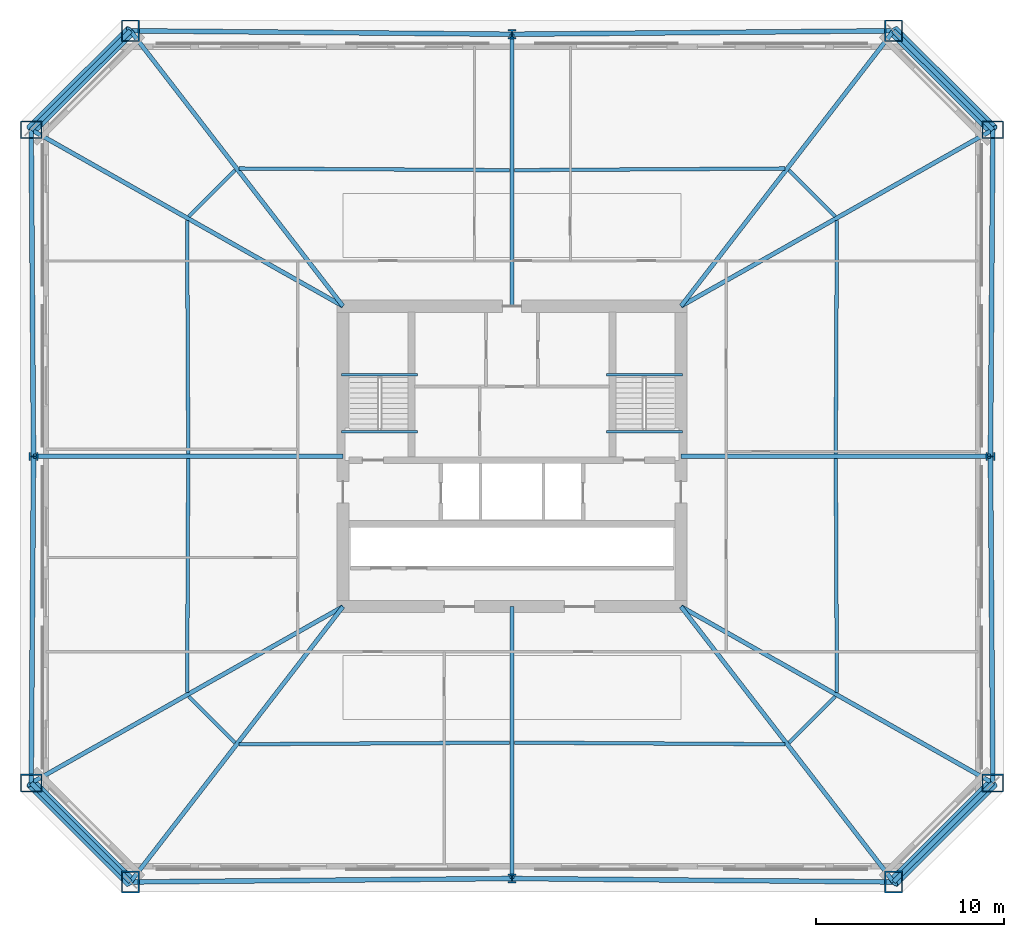
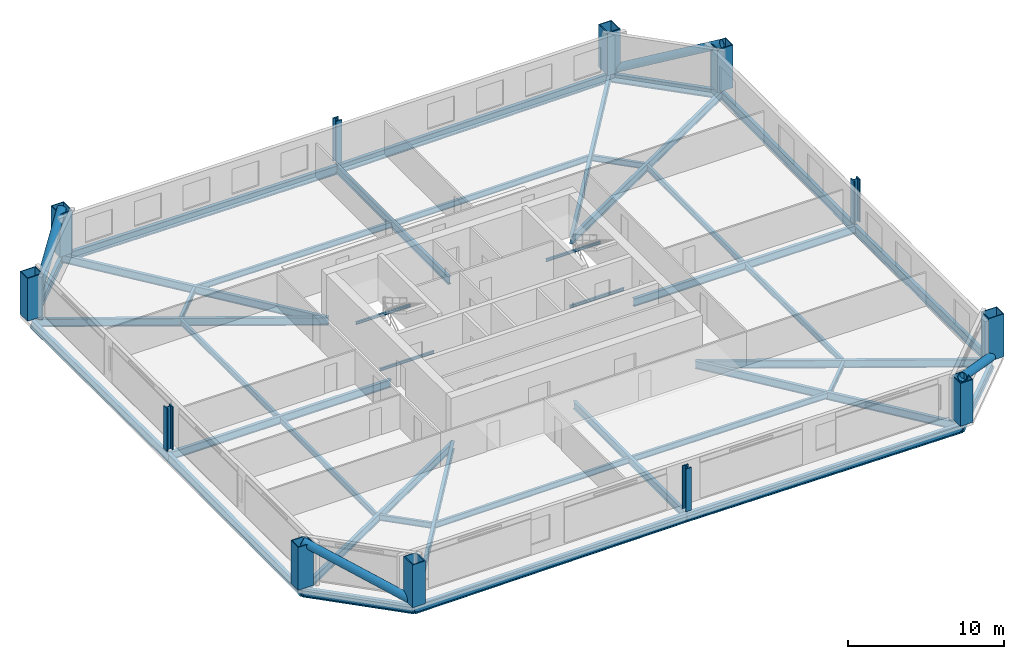
# One storey, part 1 of 11: 40 beams, 12 columns, 4 members.
"""IFC4 building model written with IfcOpenShell, lengths in metres."""

from ifc_helpers import new_model, si_unit, direction, frame, origin, origin_2d, place, context, subcontext, project, spatial, hollow_rectangle, hollow_circle, i_section, extrude, material, material_profile, profile_set, type_object, element, save


model = new_model("IFC4")

# Units and contexts
model_context = context("Model", 3, precision=1e-05, world=origin(), true_north=direction((0.0, 1.0)))
body_context = subcontext(model_context, "Body", "Model", "MODEL_VIEW")
ifc_project = project(units=[si_unit("LENGTHUNIT", "METRE"), si_unit("AREAUNIT", "SQUARE_METRE"), si_unit("VOLUMEUNIT", "CUBIC_METRE"), si_unit("PLANEANGLEUNIT", "RADIAN"), si_unit("MASSUNIT", "GRAM", prefix="KILO")], contexts=[model_context])

# Site, building, storey
site_placement = place(None, origin())
site = spatial("IfcSite", under=ifc_project, at=site_placement, CompositionType="ELEMENT")
building_placement = place(site_placement, origin())
building = spatial("IfcBuilding", under=site, at=building_placement, Name="Caelvoria Tower", CompositionType="ELEMENT")
storey_placement = place(building_placement, frame((0.0, 0.0, 74.800048828125)))
storey = spatial("IfcBuildingStorey", under=building, at=storey_placement, Name="L19", CompositionType="ELEMENT", Elevation=74.800048828125)

# Columns
ifc_material_1 = material(Name="Structural Steel ASTM A913 Gr.65", Category="steel")
ifc_material_profile_1 = material_profile(ifc_material_1, i_section(OverallWidth=0.427978515625, OverallDepth=0.48291015625, WebThickness=0.050537109375, FlangeThickness=0.08154296875, FilletRadius=0.02490234375, at=origin_2d()), Name="Structural Steel ASTM A913 Gr.65")
ifc_profile_set_1 = profile_set([ifc_material_profile_1], Name="W360X677 - Structural Steel ASTM A913 Gr.65")
column_type_1 = type_object("IfcColumnType", Name="Heavy Frame Column W360X677", PredefinedType="COLUMN", material=ifc_profile_set_1)
for number, where, z_axis, x_axis, name in (
    (1, (46.0, 9.52001953125, 0.0), (0.0, 0.0, 1.0), (1.0, 0.0, 0.0), "Perimeter Megaframe Column L19-P01"),
    (2, (71.47998046875, 32.0, 0.0), (0.0, 0.0, 1.0), (0.0, 1.0, 0.0), "Perimeter Megaframe Column L19-P04"),
    (3, (46.0, 54.47998046875, 0.0), (0.0, 0.0, 1.0), (1.0, 0.0, 0.0), "Perimeter Megaframe Column L19-P07"),
    (4, (20.52001953125, 32.0, 0.0), (0.0, 0.0, 1.0), (0.0, 1.0, 0.0), "Perimeter Megaframe Column L19-P10"),
):
    element("IfcColumn", number, at=place(storey_placement, frame(where, z_axis=z_axis, x_axis=x_axis)), inside=storey, type_object=column_type_1, Name=name, PredefinedType="COLUMN", context=body_context, shape_type="SweptSolid", body=[
        extrude(i_section(OverallWidth=0.427978515625, OverallDepth=0.48291015625, WebThickness=0.050537109375, FlangeThickness=0.08154296875, FilletRadius=0.02490234375, at=origin_2d()), origin(), (0.0, 0.0, 1.0), 3.35791015625),
    ])
ifc_material_2 = material(Name="Structural Steel ASTM A572 Gr.50", Category="steel")
ifc_material_profile_2 = material_profile(ifc_material_2, hollow_rectangle(XDim=0.949951171875, YDim=1.14990234375, WallThickness=0.06005859375, at=origin_2d()), Name="Structural Steel ASTM A572 Gr.50")
ifc_profile_set_2 = profile_set([ifc_material_profile_2], Name="BOX1150X950X60 - Structural Steel ASTM A572 Gr.50")
column_type_2 = type_object("IfcColumnType", Name="Mega Box Column 1150x950x60", PredefinedType="COLUMN", material=ifc_profile_set_2)
for number, where, z_axis, x_axis, name in (
    (5, (25.6806640625, 9.336181640625, 0.0), (0.0, 0.0, 1.0), (1.0, 0.0, 0.0), "Perimeter Megaframe Column L19-P00"),
    (6, (66.3193359375, 9.336181640625, 0.0), (0.0, 0.0, 1.0), (1.0, 0.0, 0.0), "Perimeter Megaframe Column L19-P02"),
    (7, (71.6044921875, 14.6044921875, 0.0), (0.0, 0.0, 1.0), (0.0, 1.0, 0.0), "Perimeter Megaframe Column L19-P03"),
    (8, (71.6044921875, 49.3955078125, 0.0), (0.0, 0.0, 1.0), (0.0, 1.0, 0.0), "Perimeter Megaframe Column L19-P05"),
    (9, (66.3193359375, 54.663818359375, 0.0), (0.0, 0.0, 1.0), (1.0, 0.0, 0.0), "Perimeter Megaframe Column L19-P06"),
    (10, (25.6806640625, 54.663818359375, 0.0), (0.0, 0.0, 1.0), (1.0, 0.0, 0.0), "Perimeter Megaframe Column L19-P08"),
    (11, (20.3955078125, 49.3955078125, 0.0), (0.0, 0.0, 1.0), (0.0, 1.0, 0.0), "Perimeter Megaframe Column L19-P09"),
    (12, (20.3955078125, 14.6044921875, 0.0), (0.0, 0.0, 1.0), (0.0, 1.0, 0.0), "Perimeter Megaframe Column L19-P11"),
):
    element("IfcColumn", number, at=place(storey_placement, frame(where, z_axis=z_axis, x_axis=x_axis)), inside=storey, type_object=column_type_2, Name=name, PredefinedType="COLUMN", context=body_context, shape_type="SweptSolid", body=[
        extrude(hollow_rectangle(XDim=0.949951171875, YDim=1.14990234375, WallThickness=0.06005859375, at=origin_2d()), origin(), (0.0, 0.0, 1.0), 3.35791015625),
    ])

# Beams
ifc_material_3 = material(Name="Structural Steel ASTM A992 Gr.50", Category="steel")
ifc_material_profile_3 = material_profile(ifc_material_3, i_section(OverallWidth=0.134033203125, OverallDepth=0.2099609375, WebThickness=0.00634765625, FlangeThickness=0.01025390625, FilletRadius=0.010009765625, at=origin_2d()), Name="Structural Steel ASTM A992 Gr.50")
ifc_profile_set_3 = profile_set([ifc_material_profile_3], Name="W200X31.3 - Structural Steel ASTM A992 Gr.50")
beam_type_1 = type_object("IfcBeamType", Name="Canopy Edge Trim Beam W200X31.3", PredefinedType="BEAM", material=ifc_profile_set_3)
for number, where, z_axis, x_axis, name in (
    (13, (36.929931640625, 36.35009765625, 1.494873046875), (1.0, 0.0, 0.0), (0.0, 1.0, 0.0), "ST-01 Half-Landing Support Beam L19"),
    (14, (36.929931640625, 33.300048828125, -0.304931640625), (1.0, 0.0, 0.0), (0.0, 1.0, 0.0), "ST-01 Floor-Landing Support Beam L19"),
    (15, (51.030029296875, 36.35009765625, 1.494873046875), (1.0, 0.0, 0.0), (0.0, 1.0, 0.0), "ST-02 Half-Landing Support Beam L19"),
    (16, (51.030029296875, 33.300048828125, -0.304931640625), (1.0, 0.0, 0.0), (0.0, 1.0, 0.0), "ST-02 Floor-Landing Support Beam L19"),
):
    element("IfcBeam", number, at=place(storey_placement, frame(where, z_axis=z_axis, x_axis=x_axis)), inside=storey, type_object=beam_type_1, Name=name, PredefinedType="BEAM", context=body_context, shape_type="SweptSolid", body=[
        extrude(i_section(OverallWidth=0.134033203125, OverallDepth=0.2099609375, WebThickness=0.00634765625, FlangeThickness=0.01025390625, FilletRadius=0.010009765625, at=origin_2d()), origin(), (0.0, 0.0, 1.0), 4.0400390625),
    ])

# Members
ifc_material_profile_4 = material_profile(ifc_material_2, hollow_circle(Radius=0.304931640625, WallThickness=0.02490234375, at=origin_2d()), Name="Structural Steel ASTM A572 Gr.50")
ifc_profile_set_4 = profile_set([ifc_material_profile_4], Name="CHS610X25 - Structural Steel ASTM A572 Gr.50")
member_type = type_object("IfcMemberType", Name="Lower Perimeter Mega Brace CHS610X25", PredefinedType="BRACE", material=ifc_profile_set_4)
for number, where, z_axis, x_axis, name in (
    (17, (71.6044921875, 14.6044921875, 0.0), (-0.645797126091, -0.643738737247, 0.410544163399), (0.70597718057, -0.708234580146, 0.0), "Perimeter Chamfer Mega Brace L19 SE"),
    (18, (66.3193359375, 54.663818359375, 0.0), (0.645797126091, -0.643738737247, 0.410544163399), (0.70597718057, 0.708234580146, 0.0), "Perimeter Chamfer Mega Brace L19 NE"),
    (19, (20.3955078125, 49.3955078125, 0.0), (0.645797126091, 0.643738737247, 0.410544163399), (-0.70597718057, 0.708234580146, 0.0), "Perimeter Chamfer Mega Brace L19 NW"),
    (20, (25.6806640625, 9.336181640625, 0.0), (-0.645797126091, 0.643738737247, 0.410544163399), (-0.70597718057, -0.708234580146, 0.0), "Perimeter Chamfer Mega Brace L19 SW"),
):
    element("IfcMember", number, at=place(storey_placement, frame(where, z_axis=z_axis, x_axis=x_axis)), inside=storey, type_object=member_type, Name=name, PredefinedType="BRACE", context=body_context, shape_type="SweptSolid", body=[
        extrude(hollow_circle(Radius=0.304931640625, WallThickness=0.02490234375, at=origin_2d()), origin(), (0.0, 0.0, 1.0), 8.183837890625),
    ])

# Beams
ifc_material_profile_5 = material_profile(ifc_material_3, i_section(OverallWidth=0.25390625, OverallDepth=0.68798828125, WebThickness=0.01318359375, FlangeThickness=0.02099609375, FilletRadius=0.01904296875, at=origin_2d()), Name="Structural Steel ASTM A992 Gr.50")
ifc_profile_set_5 = profile_set([ifc_material_profile_5], Name="W690X152 - Structural Steel ASTM A992 Gr.50")
beam_type_2 = type_object("IfcBeamType", Name="Perimeter Spandrel Girder W690X152", PredefinedType="BEAM", material=ifc_profile_set_5)
for number, where, z_axis, x_axis, name in (
    (21, (25.6806640625, 9.336181640625, -0.583984375), (0.999959074464, 0.009047065688, 0.0), (-0.009047065688, 0.999959074464, 0.0), "Perimeter Spandrel Girder L19-00"),
    (22, (46.0, 9.52001953125, -0.583984375), (0.999959074464, -0.009047065688, 0.0), (0.009047065688, 0.999959074464, 0.0), "Perimeter Spandrel Girder L19-01"),
):
    element("IfcBeam", number, at=place(storey_placement, frame(where, z_axis=z_axis, x_axis=x_axis)), inside=storey, type_object=beam_type_2, Name=name, PredefinedType="BEAM", context=body_context, shape_type="SweptSolid", body=[
        extrude(i_section(OverallWidth=0.25390625, OverallDepth=0.68798828125, WebThickness=0.01318359375, FlangeThickness=0.02099609375, FilletRadius=0.01904296875, at=origin_2d()), origin(), (0.0, 0.0, 1.0), 20.320068359375),
    ])
beam_1_placement = place(storey_placement, frame((66.3193359375, 9.336181640625, -0.583984375), z_axis=(0.708234580146, 0.70597718057, 0.0), x_axis=(-0.70597718057, 0.708234580146, 0.0)))
element("IfcBeam", 23, at=beam_1_placement, inside=storey, type_object=beam_type_2, Name="Perimeter Spandrel Girder L19-02", PredefinedType="BEAM", context=body_context, shape_type="SweptSolid", body=[
    extrude(i_section(OverallWidth=0.25390625, OverallDepth=0.68798828125, WebThickness=0.01318359375, FlangeThickness=0.02099609375, FilletRadius=0.01904296875, at=origin_2d()), origin(), (0.0, 0.0, 1.0), 7.46240234375),
])
for number, where, z_axis, x_axis, name in (
    (24, (71.6044921875, 14.6044921875, -0.583984375), (-0.007157510473, 0.999974384694, 0.0), (-0.999974384694, -0.007157510473, 0.0), "Perimeter Spandrel Girder L19-03"),
    (25, (71.47998046875, 32.0, -0.583984375), (0.007157510473, 0.999974384694, 0.0), (-0.999974384694, 0.007157510473, 0.0), "Perimeter Spandrel Girder L19-04"),
):
    element("IfcBeam", number, at=place(storey_placement, frame(where, z_axis=z_axis, x_axis=x_axis)), inside=storey, type_object=beam_type_2, Name=name, PredefinedType="BEAM", context=body_context, shape_type="SweptSolid", body=[
        extrude(i_section(OverallWidth=0.25390625, OverallDepth=0.68798828125, WebThickness=0.01318359375, FlangeThickness=0.02099609375, FilletRadius=0.01904296875, at=origin_2d()), origin(), (0.0, 0.0, 1.0), 17.39599609375),
    ])
beam_2_placement = place(storey_placement, frame((71.6044921875, 49.3955078125, -0.583984375), z_axis=(-0.708234580146, 0.70597718057, 0.0), x_axis=(-0.70597718057, -0.708234580146, 0.0)))
element("IfcBeam", 26, at=beam_2_placement, inside=storey, type_object=beam_type_2, Name="Perimeter Spandrel Girder L19-05", PredefinedType="BEAM", context=body_context, shape_type="SweptSolid", body=[
    extrude(i_section(OverallWidth=0.25390625, OverallDepth=0.68798828125, WebThickness=0.01318359375, FlangeThickness=0.02099609375, FilletRadius=0.01904296875, at=origin_2d()), origin(), (0.0, 0.0, 1.0), 7.46240234375),
])
for number, where, z_axis, x_axis, name in (
    (27, (66.3193359375, 54.663818359375, -0.583984375), (-0.999959074464, -0.009047065688, 0.0), (0.009047065688, -0.999959074464, 0.0), "Perimeter Spandrel Girder L19-06"),
    (28, (46.0, 54.47998046875, -0.583984375), (-0.999959074464, 0.009047065688, 0.0), (-0.009047065688, -0.999959074464, 0.0), "Perimeter Spandrel Girder L19-07"),
):
    element("IfcBeam", number, at=place(storey_placement, frame(where, z_axis=z_axis, x_axis=x_axis)), inside=storey, type_object=beam_type_2, Name=name, PredefinedType="BEAM", context=body_context, shape_type="SweptSolid", body=[
        extrude(i_section(OverallWidth=0.25390625, OverallDepth=0.68798828125, WebThickness=0.01318359375, FlangeThickness=0.02099609375, FilletRadius=0.01904296875, at=origin_2d()), origin(), (0.0, 0.0, 1.0), 20.320068359375),
    ])
beam_3_placement = place(storey_placement, frame((25.6806640625, 54.663818359375, -0.583984375), z_axis=(-0.708234580146, -0.70597718057, 0.0), x_axis=(0.70597718057, -0.708234580146, 0.0)))
element("IfcBeam", 29, at=beam_3_placement, inside=storey, type_object=beam_type_2, Name="Perimeter Spandrel Girder L19-08", PredefinedType="BEAM", context=body_context, shape_type="SweptSolid", body=[
    extrude(i_section(OverallWidth=0.25390625, OverallDepth=0.68798828125, WebThickness=0.01318359375, FlangeThickness=0.02099609375, FilletRadius=0.01904296875, at=origin_2d()), origin(), (0.0, 0.0, 1.0), 7.46240234375),
])
for number, where, z_axis, x_axis, name in (
    (30, (20.3955078125, 49.3955078125, -0.583984375), (0.007157510473, -0.999974384694, 0.0), (0.999974384694, 0.007157510473, 0.0), "Perimeter Spandrel Girder L19-09"),
    (31, (20.52001953125, 32.0, -0.583984375), (-0.007157510473, -0.999974384694, 0.0), (0.999974384694, -0.007157510473, 0.0), "Perimeter Spandrel Girder L19-10"),
):
    element("IfcBeam", number, at=place(storey_placement, frame(where, z_axis=z_axis, x_axis=x_axis)), inside=storey, type_object=beam_type_2, Name=name, PredefinedType="BEAM", context=body_context, shape_type="SweptSolid", body=[
        extrude(i_section(OverallWidth=0.25390625, OverallDepth=0.68798828125, WebThickness=0.01318359375, FlangeThickness=0.02099609375, FilletRadius=0.01904296875, at=origin_2d()), origin(), (0.0, 0.0, 1.0), 17.39599609375),
    ])
beam_4_placement = place(storey_placement, frame((20.3955078125, 14.6044921875, -0.583984375), z_axis=(0.708234580146, -0.70597718057, 0.0), x_axis=(0.70597718057, 0.708234580146, 0.0)))
element("IfcBeam", 32, at=beam_4_placement, inside=storey, type_object=beam_type_2, Name="Perimeter Spandrel Girder L19-11", PredefinedType="BEAM", context=body_context, shape_type="SweptSolid", body=[
    extrude(i_section(OverallWidth=0.25390625, OverallDepth=0.68798828125, WebThickness=0.01318359375, FlangeThickness=0.02099609375, FilletRadius=0.01904296875, at=origin_2d()), origin(), (0.0, 0.0, 1.0), 7.46240234375),
])
ifc_material_profile_6 = material_profile(ifc_material_3, i_section(OverallWidth=0.22900390625, OverallDepth=0.612060546875, WebThickness=0.011962890625, FlangeThickness=0.01953125, FilletRadius=0.01806640625, at=origin_2d()), Name="Structural Steel ASTM A992 Gr.50")
ifc_profile_set_6 = profile_set([ifc_material_profile_6], Name="W610X125 - Structural Steel ASTM A992 Gr.50")
beam_type_3 = type_object("IfcBeamType", Name="Primary Radial Floor Girder W610X125", PredefinedType="BEAM", material=ifc_profile_set_6)
beam_5_placement = place(storey_placement, frame((37.0, 24.0, -0.546142578125), z_axis=(-0.611048700367, -0.791593005136, 0.0), x_axis=(0.791593005136, -0.611048700367, 0.0)))
element("IfcBeam", 33, at=beam_5_placement, inside=storey, type_object=beam_type_3, Name="Primary Floor Girder L19-00", PredefinedType="BEAM", context=body_context, shape_type="SweptSolid", body=[
    extrude(i_section(OverallWidth=0.22900390625, OverallDepth=0.612060546875, WebThickness=0.011962890625, FlangeThickness=0.01953125, FilletRadius=0.01806640625, at=origin_2d()), origin(), (0.0, 0.0, 1.0), 18.5244140625),
])
beam_6_placement = place(storey_placement, frame((46.0, 24.0, -0.546142578125), z_axis=(0.0, -1.0, 0.0), x_axis=(1.0, 0.0, 0.0)))
element("IfcBeam", 34, at=beam_6_placement, inside=storey, type_object=beam_type_3, Name="Primary Floor Girder L19-01", PredefinedType="BEAM", context=body_context, shape_type="SweptSolid", body=[
    extrude(i_section(OverallWidth=0.22900390625, OverallDepth=0.612060546875, WebThickness=0.011962890625, FlangeThickness=0.01953125, FilletRadius=0.01806640625, at=origin_2d()), origin(), (0.0, 0.0, 1.0), 14.47998046875),
])
beam_7_placement = place(storey_placement, frame((55.0, 24.0, -0.546142578125), z_axis=(0.611048700367, -0.791593005136, 0.0), x_axis=(0.791593005136, 0.611048700367, 0.0)))
element("IfcBeam", 35, at=beam_7_placement, inside=storey, type_object=beam_type_3, Name="Primary Floor Girder L19-02", PredefinedType="BEAM", context=body_context, shape_type="SweptSolid", body=[
    extrude(i_section(OverallWidth=0.22900390625, OverallDepth=0.612060546875, WebThickness=0.011962890625, FlangeThickness=0.01953125, FilletRadius=0.01806640625, at=origin_2d()), origin(), (0.0, 0.0, 1.0), 18.5244140625),
])
beam_8_placement = place(storey_placement, frame((55.0, 24.0, -0.546142578125), z_axis=(0.870330127245, -0.492468749881, 0.0), x_axis=(0.492468749881, 0.870330127245, 0.0)))
element("IfcBeam", 36, at=beam_8_placement, inside=storey, type_object=beam_type_3, Name="Primary Floor Girder L19-03", PredefinedType="BEAM", context=body_context, shape_type="SweptSolid", body=[
    extrude(i_section(OverallWidth=0.22900390625, OverallDepth=0.612060546875, WebThickness=0.011962890625, FlangeThickness=0.01953125, FilletRadius=0.01806640625, at=origin_2d()), origin(), (0.0, 0.0, 1.0), 19.078369140625),
])
beam_9_placement = place(storey_placement, frame((55.0, 32.0, -0.546142578125), z_axis=(1.0, 0.0, 0.0), x_axis=(0.0, 1.0, 0.0)))
element("IfcBeam", 37, at=beam_9_placement, inside=storey, type_object=beam_type_3, Name="Primary Floor Girder L19-04", PredefinedType="BEAM", context=body_context, shape_type="SweptSolid", body=[
    extrude(i_section(OverallWidth=0.22900390625, OverallDepth=0.612060546875, WebThickness=0.011962890625, FlangeThickness=0.01953125, FilletRadius=0.01806640625, at=origin_2d()), origin(), (0.0, 0.0, 1.0), 16.47998046875),
])
beam_10_placement = place(storey_placement, frame((55.0, 40.0, -0.546142578125), z_axis=(0.870330127245, 0.492468749881, 0.0), x_axis=(-0.492468749881, 0.870330127245, 0.0)))
element("IfcBeam", 38, at=beam_10_placement, inside=storey, type_object=beam_type_3, Name="Primary Floor Girder L19-05", PredefinedType="BEAM", context=body_context, shape_type="SweptSolid", body=[
    extrude(i_section(OverallWidth=0.22900390625, OverallDepth=0.612060546875, WebThickness=0.011962890625, FlangeThickness=0.01953125, FilletRadius=0.01806640625, at=origin_2d()), origin(), (0.0, 0.0, 1.0), 19.078369140625),
])
beam_11_placement = place(storey_placement, frame((55.0, 40.0, -0.546142578125), z_axis=(0.611048700367, 0.791593005136, 0.0), x_axis=(-0.791593005136, 0.611048700367, 0.0)))
element("IfcBeam", 39, at=beam_11_placement, inside=storey, type_object=beam_type_3, Name="Primary Floor Girder L19-06", PredefinedType="BEAM", context=body_context, shape_type="SweptSolid", body=[
    extrude(i_section(OverallWidth=0.22900390625, OverallDepth=0.612060546875, WebThickness=0.011962890625, FlangeThickness=0.01953125, FilletRadius=0.01806640625, at=origin_2d()), origin(), (0.0, 0.0, 1.0), 18.5244140625),
])
beam_12_placement = place(storey_placement, frame((46.0, 40.0, -0.546142578125), z_axis=(0.0, 1.0, 0.0), x_axis=(-1.0, 0.0, 0.0)))
element("IfcBeam", 40, at=beam_12_placement, inside=storey, type_object=beam_type_3, Name="Primary Floor Girder L19-07", PredefinedType="BEAM", context=body_context, shape_type="SweptSolid", body=[
    extrude(i_section(OverallWidth=0.22900390625, OverallDepth=0.612060546875, WebThickness=0.011962890625, FlangeThickness=0.01953125, FilletRadius=0.01806640625, at=origin_2d()), origin(), (0.0, 0.0, 1.0), 14.47998046875),
])
beam_13_placement = place(storey_placement, frame((37.0, 40.0, -0.546142578125), z_axis=(-0.611048700367, 0.791593005136, 0.0), x_axis=(-0.791593005136, -0.611048700367, 0.0)))
element("IfcBeam", 41, at=beam_13_placement, inside=storey, type_object=beam_type_3, Name="Primary Floor Girder L19-08", PredefinedType="BEAM", context=body_context, shape_type="SweptSolid", body=[
    extrude(i_section(OverallWidth=0.22900390625, OverallDepth=0.612060546875, WebThickness=0.011962890625, FlangeThickness=0.01953125, FilletRadius=0.01806640625, at=origin_2d()), origin(), (0.0, 0.0, 1.0), 18.5244140625),
])
beam_14_placement = place(storey_placement, frame((37.0, 40.0, -0.546142578125), z_axis=(-0.870330127245, 0.492468749881, 0.0), x_axis=(-0.492468749881, -0.870330127245, 0.0)))
element("IfcBeam", 42, at=beam_14_placement, inside=storey, type_object=beam_type_3, Name="Primary Floor Girder L19-09", PredefinedType="BEAM", context=body_context, shape_type="SweptSolid", body=[
    extrude(i_section(OverallWidth=0.22900390625, OverallDepth=0.612060546875, WebThickness=0.011962890625, FlangeThickness=0.01953125, FilletRadius=0.01806640625, at=origin_2d()), origin(), (0.0, 0.0, 1.0), 19.078369140625),
])
beam_15_placement = place(storey_placement, frame((37.0, 32.0, -0.546142578125), z_axis=(-1.0, 0.0, 0.0), x_axis=(0.0, -1.0, 0.0)))
element("IfcBeam", 43, at=beam_15_placement, inside=storey, type_object=beam_type_3, Name="Primary Floor Girder L19-10", PredefinedType="BEAM", context=body_context, shape_type="SweptSolid", body=[
    extrude(i_section(OverallWidth=0.22900390625, OverallDepth=0.612060546875, WebThickness=0.011962890625, FlangeThickness=0.01953125, FilletRadius=0.01806640625, at=origin_2d()), origin(), (0.0, 0.0, 1.0), 16.47998046875),
])
beam_16_placement = place(storey_placement, frame((37.0, 24.0, -0.546142578125), z_axis=(-0.870330127245, -0.492468749881, 0.0), x_axis=(0.492468749881, -0.870330127245, 0.0)))
element("IfcBeam", 44, at=beam_16_placement, inside=storey, type_object=beam_type_3, Name="Primary Floor Girder L19-11", PredefinedType="BEAM", context=body_context, shape_type="SweptSolid", body=[
    extrude(i_section(OverallWidth=0.22900390625, OverallDepth=0.612060546875, WebThickness=0.011962890625, FlangeThickness=0.01953125, FilletRadius=0.01806640625, at=origin_2d()), origin(), (0.0, 0.0, 1.0), 19.078369140625),
])
ifc_material_profile_7 = material_profile(ifc_material_3, i_section(OverallWidth=0.18994140625, OverallDepth=0.45703125, WebThickness=0.009033203125, FlangeThickness=0.014404296875, FilletRadius=0.014892578125, at=origin_2d()), Name="Structural Steel ASTM A992 Gr.50")
ifc_profile_set_7 = profile_set([ifc_material_profile_7], Name="W460X74 - Structural Steel ASTM A992 Gr.50")
beam_type_4 = type_object("IfcBeamType", Name="Secondary Floor Beam W460X74", PredefinedType="BEAM", material=ifc_profile_set_7)
for number, where, z_axis, x_axis, name in (
    (45, (31.46533203125, 16.6689453125, -0.468505859375), (0.999980351346, 0.006268725729, 0.0), (-0.006268725729, 0.999980351346, 0.0), "Secondary Floor Beam L19-00"),
    (46, (46.125, 16.75927734375, -0.468505859375), (0.999980351346, -0.006268725729, 0.0), (0.006268725729, 0.999980351346, 0.0), "Secondary Floor Beam L19-01"),
):
    element("IfcBeam", number, at=place(storey_placement, frame(where, z_axis=z_axis, x_axis=x_axis)), inside=storey, type_object=beam_type_4, Name=name, PredefinedType="BEAM", context=body_context, shape_type="SweptSolid", body=[
        extrude(i_section(OverallWidth=0.18994140625, OverallDepth=0.45703125, WebThickness=0.009033203125, FlangeThickness=0.014404296875, FilletRadius=0.014892578125, at=origin_2d()), origin(), (0.0, 0.0, 1.0), 14.409912109375),
    ])
beam_17_placement = place(storey_placement, frame((60.748291015625, 16.75634765625, -0.468505859375), z_axis=(0.708192991705, 0.706018899534, 0.0), x_axis=(-0.706018899534, 0.708192991705, 0.0)))
element("IfcBeam", 47, at=beam_17_placement, inside=storey, type_object=beam_type_4, Name="Secondary Floor Beam L19-02", PredefinedType="BEAM", context=body_context, shape_type="SweptSolid", body=[
    extrude(i_section(OverallWidth=0.18994140625, OverallDepth=0.45703125, WebThickness=0.009033203125, FlangeThickness=0.014404296875, FilletRadius=0.014892578125, at=origin_2d()), origin(), (0.0, 0.0, 1.0), 3.481201171875),
])
for number, where, z_axis, x_axis, name in (
    (48, (63.301513671875, 19.42724609375, -0.468505859375), (-0.004903247847, 0.999987979008, 0.0), (-0.999987979008, -0.004903247847, 0.0), "Secondary Floor Beam L19-03"),
    (49, (63.240478515625, 32.125, -0.468505859375), (0.004903247847, 0.999987979008, 0.0), (-0.999987979008, 0.004903247847, 0.0), "Secondary Floor Beam L19-04"),
):
    element("IfcBeam", number, at=place(storey_placement, frame(where, z_axis=z_axis, x_axis=x_axis)), inside=storey, type_object=beam_type_4, Name=name, PredefinedType="BEAM", context=body_context, shape_type="SweptSolid", body=[
        extrude(i_section(OverallWidth=0.18994140625, OverallDepth=0.45703125, WebThickness=0.009033203125, FlangeThickness=0.014404296875, FilletRadius=0.014892578125, at=origin_2d()), origin(), (0.0, 0.0, 1.0), 12.447998046875),
    ])
beam_18_placement = place(storey_placement, frame((63.213623046875, 44.785888671875, -0.468505859375), z_axis=(-0.708192991705, 0.706018899534, 0.0), x_axis=(-0.706018899534, -0.708192991705, 0.0)))
element("IfcBeam", 50, at=beam_18_placement, inside=storey, type_object=beam_type_4, Name="Secondary Floor Beam L19-05", PredefinedType="BEAM", context=body_context, shape_type="SweptSolid", body=[
    extrude(i_section(OverallWidth=0.18994140625, OverallDepth=0.45703125, WebThickness=0.009033203125, FlangeThickness=0.014404296875, FilletRadius=0.014892578125, at=origin_2d()), origin(), (0.0, 0.0, 1.0), 3.481201171875),
])
for number, where, z_axis, x_axis, name in (
    (51, (60.53466796875, 47.3310546875, -0.468505859375), (-0.999980351346, -0.006268725729, 0.0), (0.006268725729, -0.999980351346, 0.0), "Secondary Floor Beam L19-06"),
    (52, (45.875, 47.24072265625, -0.468505859375), (-0.999980351346, 0.006268725729, 0.0), (-0.006268725729, -0.999980351346, 0.0), "Secondary Floor Beam L19-07"),
):
    element("IfcBeam", number, at=place(storey_placement, frame(where, z_axis=z_axis, x_axis=x_axis)), inside=storey, type_object=beam_type_4, Name=name, PredefinedType="BEAM", context=body_context, shape_type="SweptSolid", body=[
        extrude(i_section(OverallWidth=0.18994140625, OverallDepth=0.45703125, WebThickness=0.009033203125, FlangeThickness=0.014404296875, FilletRadius=0.014892578125, at=origin_2d()), origin(), (0.0, 0.0, 1.0), 14.409912109375),
    ])
beam_19_placement = place(storey_placement, frame((31.251708984375, 47.24365234375, -0.468505859375), z_axis=(-0.708192991705, -0.706018899534, 0.0), x_axis=(0.706018899534, -0.708192991705, 0.0)))
element("IfcBeam", 53, at=beam_19_placement, inside=storey, type_object=beam_type_4, Name="Secondary Floor Beam L19-08", PredefinedType="BEAM", context=body_context, shape_type="SweptSolid", body=[
    extrude(i_section(OverallWidth=0.18994140625, OverallDepth=0.45703125, WebThickness=0.009033203125, FlangeThickness=0.014404296875, FilletRadius=0.014892578125, at=origin_2d()), origin(), (0.0, 0.0, 1.0), 3.481201171875),
])
for number, where, z_axis, x_axis, name in (
    (54, (28.698486328125, 44.57275390625, -0.468505859375), (0.004903247847, -0.999987979008, 0.0), (0.999987979008, 0.004903247847, 0.0), "Secondary Floor Beam L19-09"),
    (55, (28.759521484375, 31.875, -0.468505859375), (-0.004903247847, -0.999987979008, 0.0), (0.999987979008, -0.004903247847, 0.0), "Secondary Floor Beam L19-10"),
):
    element("IfcBeam", number, at=place(storey_placement, frame(where, z_axis=z_axis, x_axis=x_axis)), inside=storey, type_object=beam_type_4, Name=name, PredefinedType="BEAM", context=body_context, shape_type="SweptSolid", body=[
        extrude(i_section(OverallWidth=0.18994140625, OverallDepth=0.45703125, WebThickness=0.009033203125, FlangeThickness=0.014404296875, FilletRadius=0.014892578125, at=origin_2d()), origin(), (0.0, 0.0, 1.0), 12.447998046875),
    ])
beam_20_placement = place(storey_placement, frame((28.786376953125, 19.214111328125, -0.468505859375), z_axis=(0.708192991705, -0.706018899534, 0.0), x_axis=(0.706018899534, 0.708192991705, 0.0)))
element("IfcBeam", 56, at=beam_20_placement, inside=storey, type_object=beam_type_4, Name="Secondary Floor Beam L19-11", PredefinedType="BEAM", context=body_context, shape_type="SweptSolid", body=[
    extrude(i_section(OverallWidth=0.18994140625, OverallDepth=0.45703125, WebThickness=0.009033203125, FlangeThickness=0.014404296875, FilletRadius=0.014892578125, at=origin_2d()), origin(), (0.0, 0.0, 1.0), 3.481201171875),
])

save(model, "model.ifc")
